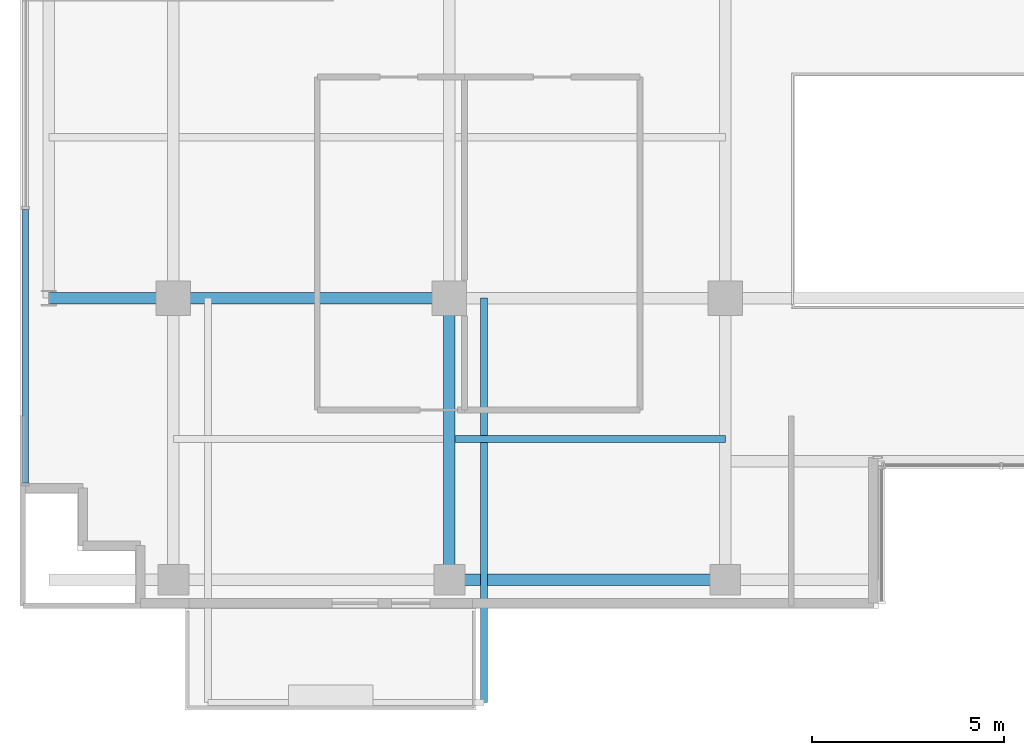
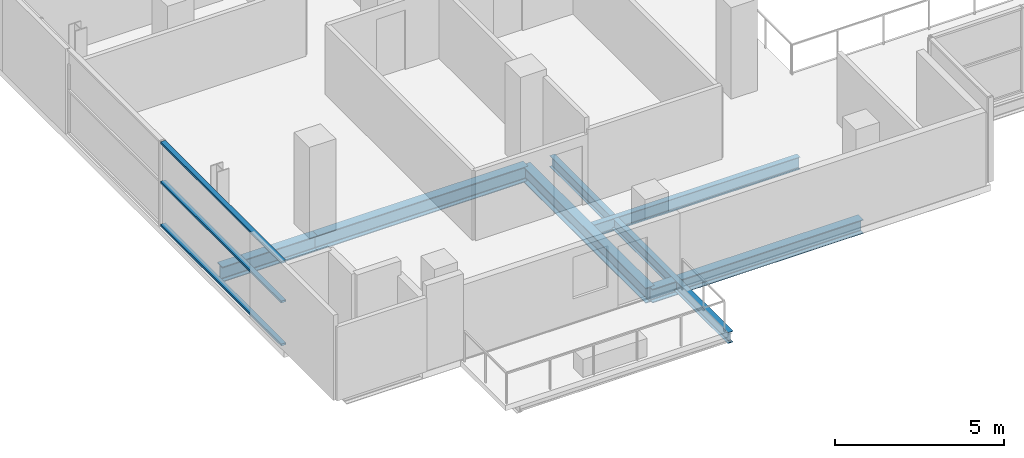
# One storey, part 3 of 24: 6 beams, 3 members, 1 element without a shape of its own.
"""IFC4 building model written with IfcOpenShell, lengths in metres."""

from ifc_helpers import new_model, si_unit, direction, frame, origin, origin_2d, place, context, subcontext, project, spatial, hollow_rectangle, i_section, extrude, source, transform, mapped, material, layer, layer_set, material_profile, profile_set, type_object, element, aggregate, save


model = new_model("IFC4")

# Units and contexts
model_context = context("Model", 3, precision=1e-05, world=origin(), true_north=direction((0.0, 1.0)))
body_context = subcontext(model_context, "Body", "Model", "MODEL_VIEW")
ifc_project = project(units=[si_unit("LENGTHUNIT", "METRE"), si_unit("AREAUNIT", "SQUARE_METRE"), si_unit("VOLUMEUNIT", "CUBIC_METRE"), si_unit("PLANEANGLEUNIT", "RADIAN"), si_unit("MASSUNIT", "GRAM", prefix="KILO")], contexts=[model_context])

# Site, building, storey
site_placement = place(None, origin())
site = spatial("IfcSite", under=ifc_project, at=site_placement, CompositionType="ELEMENT")
building_placement = place(site_placement, origin())
building = spatial("IfcBuilding", under=site, at=building_placement, Name="Zarnakvel Exchange Tower", CompositionType="ELEMENT")
storey_placement = place(building_placement, frame((0.0, 0.0, 119.800048828125)))
storey = spatial("IfcBuildingStorey", under=building, at=storey_placement, Name="L33", CompositionType="ELEMENT", Elevation=119.800048828125)

# Beams
ifc_material_1 = material(Name="Steel S355", Category="steel")
ifc_material_profile_1 = material_profile(ifc_material_1, i_section(OverallWidth=0.18994140625, OverallDepth=0.449951171875, WebThickness=0.009521484375, FlangeThickness=0.0146484375, FilletRadius=0.02099609375, at=origin_2d()))
ifc_profile_set_1 = profile_set([ifc_material_profile_1], Name="Steel S355")
beam_type_1 = type_object("IfcBeamType", Name="B-05", PredefinedType="JOIST", material=ifc_profile_set_1)
beam_1_placement = place(storey_placement, frame((-14.25, -13.27490234375, -0.449951171875), z_axis=(1.0, 0.0, 0.0), x_axis=(0.0, 1.0, 0.0)))
element("IfcBeam", 1, at=beam_1_placement, inside=storey, type_object=beam_type_1, Name="L33 Composite Floor Secondary Joist", PredefinedType="JOIST", context=body_context, shape_type="SweptSolid", body=[
    extrude(i_section(OverallWidth=0.18994140625, OverallDepth=0.449951171875, WebThickness=0.009521484375, FlangeThickness=0.0146484375, FilletRadius=0.02099609375, at=origin_2d()), origin(), (0.0, 0.0, 1.0), 7.050048828125),
])
ifc_material_profile_2 = material_profile(ifc_material_1, i_section(OverallWidth=0.179931640625, OverallDepth=0.39990234375, WebThickness=0.008544921875, FlangeThickness=0.013427734375, FilletRadius=0.02099609375, at=origin_2d()))
ifc_profile_set_2 = profile_set([ifc_material_profile_2], Name="Steel S355")
beam_type_2 = type_object("IfcBeamType", Name="B-06", PredefinedType="JOIST", material=ifc_profile_set_2)
beam_2_placement = place(storey_placement, frame((-13.5, -9.60009765625, -0.425048828125), z_axis=(0.0, -1.0, 0.0), x_axis=(1.0, 0.0, 0.0)))
element("IfcBeam", 2, at=beam_2_placement, inside=storey, type_object=beam_type_2, Name="L33 Continuous Back-Spanned Balcony Beam E", PredefinedType="JOIST", context=body_context, shape_type="SweptSolid", body=[
    extrude(i_section(OverallWidth=0.179931640625, OverallDepth=0.39990234375, WebThickness=0.008544921875, FlangeThickness=0.013427734375, FilletRadius=0.02099609375, at=origin_2d()), origin(), (0.0, 0.0, 1.0), 10.5498046875),
])
ifc_material_profile_3 = material_profile(ifc_material_1, i_section(OverallWidth=0.300048828125, OverallDepth=0.550048828125, WebThickness=0.014892578125, FlangeThickness=0.029052734375, FilletRadius=0.027099609375, at=origin_2d()))
ifc_profile_set_3 = profile_set([ifc_material_profile_3], Name="Steel S355")
beam_type_3 = type_object("IfcBeamType", Name="G-05", PredefinedType="BEAM", material=ifc_profile_set_3)
beam_3_placement = place(storey_placement, frame((-24.85009765625, -9.60009765625, -0.5), z_axis=(1.0, 0.0, 0.0), x_axis=(0.0, 1.0, 0.0)))
element("IfcBeam", 3, at=beam_3_placement, inside=storey, type_object=beam_type_3, Name="L33 Tower E-W Frame Beam", PredefinedType="BEAM", context=body_context, shape_type="SweptSolid", body=[
    extrude(i_section(OverallWidth=0.300048828125, OverallDepth=0.550048828125, WebThickness=0.014892578125, FlangeThickness=0.029052734375, FilletRadius=0.027099609375, at=origin_2d()), origin(), (0.0, 0.0, 1.0), 3.25),
])
beam_4_placement = place(storey_placement, frame((-21.60009765625, -9.60009765625, -0.5), z_axis=(1.0, 0.0, 0.0), x_axis=(0.0, 1.0, 0.0)))
element("IfcBeam", 4, at=beam_4_placement, inside=storey, type_object=beam_type_3, Name="L33 Tower E-W Frame Beam", PredefinedType="BEAM", context=body_context, shape_type="SweptSolid", body=[
    extrude(i_section(OverallWidth=0.300048828125, OverallDepth=0.550048828125, WebThickness=0.014892578125, FlangeThickness=0.029052734375, FilletRadius=0.027099609375, at=origin_2d()), origin(), (0.0, 0.0, 1.0), 7.2001953125),
])
beam_5_placement = place(storey_placement, frame((-14.39990234375, -16.949951171875, -0.5), z_axis=(0.0, 1.0, 0.0), x_axis=(-1.0, 0.0, 0.0)))
element("IfcBeam", 5, at=beam_5_placement, inside=storey, type_object=beam_type_3, Name="L33 Tower N-S Frame Beam", PredefinedType="BEAM", context=body_context, shape_type="SweptSolid", body=[
    extrude(i_section(OverallWidth=0.300048828125, OverallDepth=0.550048828125, WebThickness=0.014892578125, FlangeThickness=0.029052734375, FilletRadius=0.027099609375, at=origin_2d()), origin(), (0.0, 0.0, 1.0), 7.349853515625),
])
ifc_material_profile_4 = material_profile(ifc_material_1, i_section(OverallWidth=0.300048828125, OverallDepth=0.5, WebThickness=0.014404296875, FlangeThickness=0.028076171875, FilletRadius=0.027099609375, at=origin_2d()))
ifc_profile_set_4 = profile_set([ifc_material_profile_4], Name="Steel S355")
beam_type_4 = type_object("IfcBeamType", Name="SP-02", PredefinedType="SPANDREL", material=ifc_profile_set_4)
beam_6_placement = place(storey_placement, frame((-14.39990234375, -16.949951171875, -0.47509765625), z_axis=(1.0, 0.0, 0.0), x_axis=(0.0, 1.0, 0.0)))
element("IfcBeam", 6, at=beam_6_placement, inside=storey, type_object=beam_type_4, Name="L33 Tower E-W Frame Beam", PredefinedType="SPANDREL", context=body_context, shape_type="SweptSolid", body=[
    extrude(i_section(OverallWidth=0.300048828125, OverallDepth=0.5, WebThickness=0.014404296875, FlangeThickness=0.028076171875, FilletRadius=0.027099609375, at=origin_2d()), origin(), (0.0, 0.0, 1.0), 7.199951171875),
])

# Curtain wall, members
ifc_material_2 = material(Name="Architectural Bronze Anodised Aluminium", Category="aluminium")
ifc_layer = layer(ifc_material_2, 0.199951171875)
ifc_layer_set = layer_set([ifc_layer], Name="Architectural Bronze Anodised Aluminium")
curtain_wall_type = type_object("IfcCurtainWallType", Name="CW-04", PredefinedType="NOTDEFINED", material=ifc_layer_set)
curtain_wall_placement = place(storey_placement, origin())
curtain_wall = element("IfcCurtainWall", 7, at=curtain_wall_placement, inside=storey, type_object=curtain_wall_type, Name="L33 Curtain Wall CW-L33-W1 (CW-04)", PredefinedType="NOTDEFINED")
ifc_material_profile_5 = material_profile(ifc_material_2, hollow_rectangle(XDim=0.159912109375, YDim=0.074951171875, WallThickness=0.00390625, at=origin_2d()))
ifc_profile_set_5 = profile_set([ifc_material_profile_5], Name="Architectural Bronze Anodised Aluminium")
member_type = type_object("IfcMemberType", Name="CWT-04", PredefinedType="USERDEFINED", material=ifc_profile_set_5)
shared_shape = source(origin(), body_context, "Body", "SweptSolid", [
    extrude(hollow_rectangle(XDim=0.159912109375, YDim=0.074951171875, WallThickness=0.00390625, at=origin_2d()), origin(), (0.0, 0.0, 1.0), 7.137451171875),
])
member_1_placement = place(storey_placement, frame((-25.4599609375, -14.425048828125, 0.037353515625), z_axis=(0.0, 1.0, 0.0), x_axis=(-1.0, 0.0, 0.0)))
member_1 = element("IfcMember", 8, at=member_1_placement, type_object=member_type, Name="CW-04 transom 1.1", ObjectType="TRANSOM", PredefinedType="USERDEFINED", context=body_context, shape_type="MappedRepresentation", body=[
    mapped(shared_shape, transform((0.0, 0.0, 0.0), x_axis=(1.0, 0.0, 0.0), y_axis=(0.0, 1.0, 0.0), z_axis=(0.0, 0.0, 1.0), scale=1.0)),
])
member_2_placement = place(storey_placement, frame((-25.4599609375, -14.425048828125, 1.588623046875), z_axis=(0.0, 1.0, 0.0), x_axis=(-1.0, 0.0, 0.0)))
member_2 = element("IfcMember", 9, at=member_2_placement, type_object=member_type, Name="CW-04 transom 1.2", ObjectType="TRANSOM", PredefinedType="USERDEFINED", context=body_context, shape_type="MappedRepresentation", body=[
    mapped(shared_shape, transform((0.0, 0.0, 0.0), x_axis=(1.0, 0.0, 0.0), y_axis=(0.0, 1.0, 0.0), z_axis=(0.0, 0.0, 1.0), scale=1.0)),
])
member_3_placement = place(storey_placement, frame((-25.4599609375, -14.425048828125, 3.017333984375), z_axis=(0.0, 1.0, 0.0), x_axis=(-1.0, 0.0, 0.0)))
member_3 = element("IfcMember", 10, at=member_3_placement, type_object=member_type, Name="CW-04 transom 1.3", ObjectType="TRANSOM", PredefinedType="USERDEFINED", context=body_context, shape_type="MappedRepresentation", body=[
    mapped(shared_shape, transform((0.0, 0.0, 0.0), x_axis=(1.0, 0.0, 0.0), y_axis=(0.0, 1.0, 0.0), z_axis=(0.0, 0.0, 1.0), scale=1.0)),
])
aggregate(curtain_wall, [member_1, member_2, member_3])

save(model, "model.ifc")
